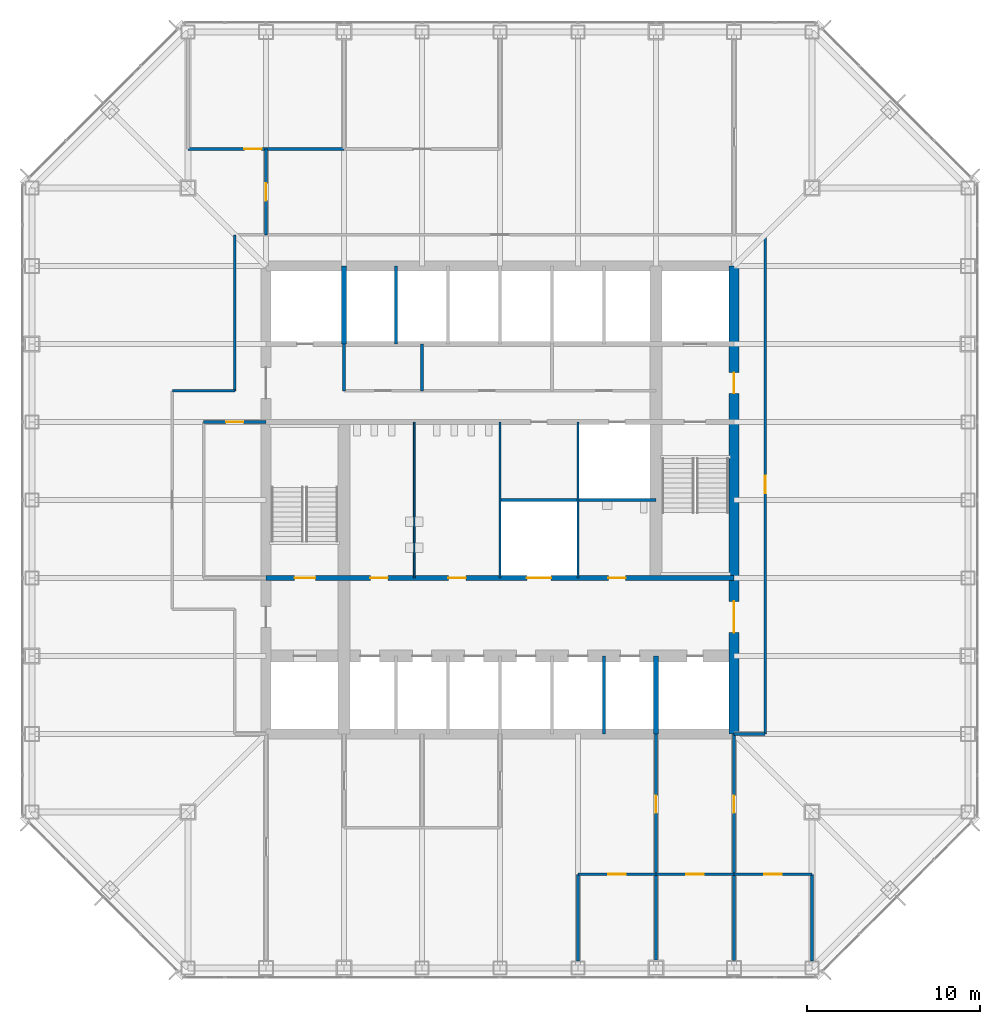
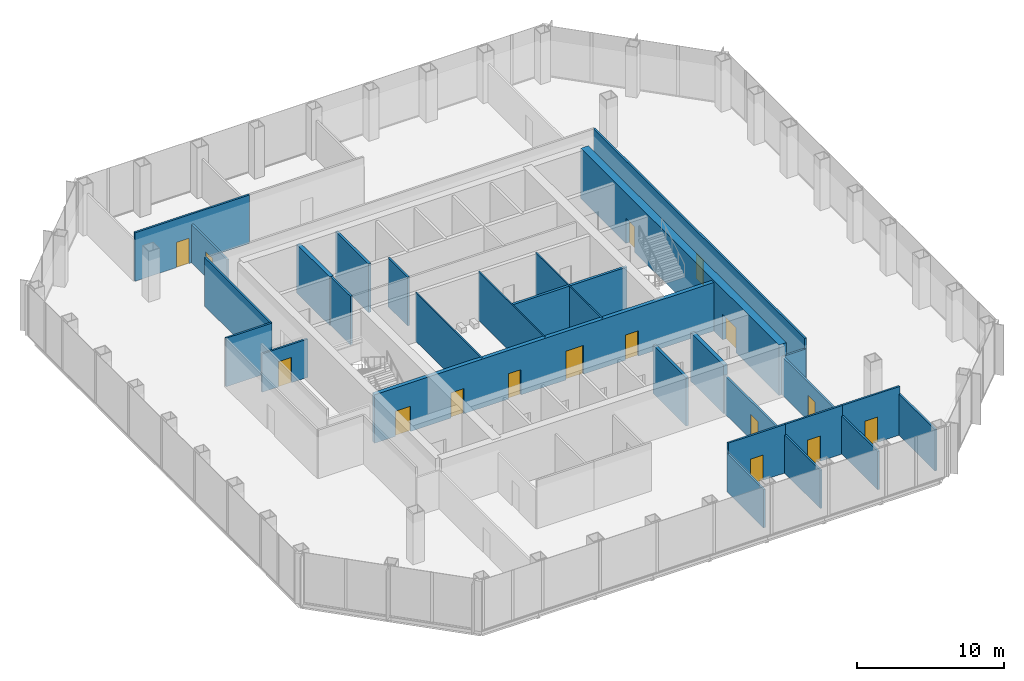
# One storey, part 9 of 12: 28 walls, 16 doors, 16 openings.
"""IFC4 building model written with IfcOpenShell, lengths in metres."""

from ifc_helpers import new_model, si_unit, direction, frame, frame_2d, origin, place, context, subcontext, project, spatial, rectangle, extrude, material, layer, layer_set, type_object, element, fill, save


model = new_model("IFC4")

# Units and contexts
model_context = context("Model", 3, precision=1e-05, world=origin(), true_north=direction((0.0, 1.0)))
body_context = subcontext(model_context, "Body", "Model", "MODEL_VIEW")
ifc_project = project(units=[si_unit("LENGTHUNIT", "METRE"), si_unit("AREAUNIT", "SQUARE_METRE"), si_unit("VOLUMEUNIT", "CUBIC_METRE"), si_unit("PLANEANGLEUNIT", "RADIAN"), si_unit("MASSUNIT", "GRAM", prefix="KILO")], contexts=[model_context])

# Site, building, storey
site_placement = place(None, origin())
site = spatial("IfcSite", under=ifc_project, at=site_placement, CompositionType="ELEMENT")
building_placement = place(site_placement, origin())
building = spatial("IfcBuilding", under=site, at=building_placement, Name="Corais Broadcast Tower", CompositionType="ELEMENT")
storey_placement = place(building_placement, frame((0.0, 0.0, 45.800048828125)))
storey = spatial("IfcBuildingStorey", under=building, at=storey_placement, Name="L09", CompositionType="ELEMENT", Elevation=45.800048828125)

# Walls
ifc_material_1 = material(Name="Concrete blockwork class A, grouted, two-hour", Category="masonry")
ifc_layer_1 = layer(ifc_material_1, 0.300048828125)
ifc_layer_set_1 = layer_set([ifc_layer_1], Name="Concrete blockwork class A, grouted, two-hour")
wall_type_1 = type_object("IfcWallType", Name="Core lobby wall 300", PredefinedType="SOLIDWALL", material=ifc_layer_set_1)
for number, where, z_axis, x_axis, name in (
    (1, (18.0, 36.0, 0.0), (0.0, 0.0, 1.0), (0.0, 1.0, 0.0), "CL1 core shaft wall X18B L09"),
    (2, (36.0, 13.5, 0.0), (0.0, 0.0, 1.0), (0.0, 1.0, 0.0), "CL1 core shaft wall X36A L09"),
):
    element("IfcWall", number, at=place(storey_placement, frame(where, z_axis=z_axis, x_axis=x_axis)), inside=storey, type_object=wall_type_1, Name=name, PredefinedType="SOLIDWALL", context=body_context, shape_type="SweptSolid", body=[
        extrude(rectangle(XDim=4.5, YDim=0.300048828125, at=frame_2d((2.25, 0.0))), origin(), (0.0, 0.0, 1.0), 4.0400390625),
    ])

# Wall, openings, doors
wall_1_placement = place(storey_placement, frame((13.5, 22.5, 0.0), z_axis=(0.0, 0.0, 1.0), x_axis=(1.0, 0.0, 0.0)))
wall_1 = element("IfcWall", 3, at=wall_1_placement, inside=storey, type_object=wall_type_1, Name="CL1 core lobby wall Y225 L09", PredefinedType="SOLIDWALL", context=body_context, shape_type="SweptSolid", body=[
    extrude(rectangle(XDim=27.0, YDim=0.300048828125, at=frame_2d((13.5, 0.0))), origin(), (0.0, 0.0, 1.0), 4.0400390625),
])
opening_1_placement = place(wall_1_placement, frame((1.64990234375, 0.0, 0.0)))
opening_1 = element("IfcOpeningElement", 4, at=opening_1_placement, cuts=wall_1, Name="Opening FD1", PredefinedType="OPENING", context=body_context, shape_type="SweptSolid", body=[
    extrude(rectangle(XDim=1.199951171875, YDim=2.10009765625, at=frame_2d((0.60009765625, 1.050048828125))), frame((0.0, 0.159912109375, 0.0), z_axis=(0.0, -1.0, 0.0), x_axis=(1.0, 0.0, 0.0)), (0.0, 0.0, 1.0), 0.320068359375),
])
opening_2_placement = place(wall_1_placement, frame((6.02490234375, 0.0, 0.0)))
opening_2 = element("IfcOpeningElement", 5, at=opening_2_placement, cuts=wall_1, Name="Opening WD1", PredefinedType="OPENING", context=body_context, shape_type="SweptSolid", body=[
    extrude(rectangle(XDim=1.0, YDim=2.10009765625, at=frame_2d((0.5, 1.050048828125))), frame((0.0, 0.159912109375, 0.0), z_axis=(0.0, -1.0, 0.0), x_axis=(1.0, 0.0, 0.0)), (0.0, 0.0, 1.0), 0.320068359375),
])
opening_3_placement = place(wall_1_placement, frame((10.52490234375, 0.0, 0.0)))
opening_3 = element("IfcOpeningElement", 6, at=opening_3_placement, cuts=wall_1, Name="Opening WD1", PredefinedType="OPENING", context=body_context, shape_type="SweptSolid", body=[
    extrude(rectangle(XDim=1.0, YDim=2.10009765625, at=frame_2d((0.5, 1.050048828125))), frame((0.0, 0.159912109375, 0.0), z_axis=(0.0, -1.0, 0.0), x_axis=(1.0, 0.0, 0.0)), (0.0, 0.0, 1.0), 0.320068359375),
])
opening_4_placement = place(wall_1_placement, frame((19.75, 0.0, 0.0)))
opening_4 = element("IfcOpeningElement", 7, at=opening_4_placement, cuts=wall_1, Name="Opening WD1", PredefinedType="OPENING", context=body_context, shape_type="SweptSolid", body=[
    extrude(rectangle(XDim=1.0, YDim=2.10009765625, at=frame_2d((0.5, 1.050048828125))), frame((0.0, 0.159912109375, 0.0), z_axis=(0.0, -1.0, 0.0), x_axis=(1.0, 0.0, 0.0)), (0.0, 0.0, 1.0), 0.320068359375),
])
opening_5_placement = place(wall_1_placement, frame((15.050048828125, 0.0, 0.0)))
opening_5 = element("IfcOpeningElement", 8, at=opening_5_placement, cuts=wall_1, Name="Opening LD3", PredefinedType="OPENING", context=body_context, shape_type="SweptSolid", body=[
    extrude(rectangle(XDim=1.39990234375, YDim=2.39990234375, at=frame_2d((0.699951171875, 1.199951171875))), frame((0.0, 0.159912109375, 0.0), z_axis=(0.0, -1.0, 0.0), x_axis=(1.0, 0.0, 0.0)), (0.0, 0.0, 1.0), 0.320068359375),
])
ifc_material_2 = material(Name="Steel fire door", Category="steel")
door_type_1 = type_object("IfcDoorType", Name="Fire door 1200x2100", OperationType="SINGLE_SWING_LEFT", PredefinedType="DOOR", material=ifc_material_2)
door_1_placement = place(opening_1_placement, origin())
door_1 = element("IfcDoor", 9, at=door_1_placement, inside=storey, type_object=door_type_1, Name="FD1 stair A door L09", OperationType="SINGLE_SWING_LEFT", OverallHeight=2.10009765625, OverallWidth=1.199951171875, PredefinedType="DOOR", context=body_context, shape_type="SweptSolid", body=[
    extrude(rectangle(XDim=1.199951171875, YDim=2.10009765625, at=frame_2d((0.60009765625, 1.050048828125))), frame((0.0, 0.02490234375, 0.0), z_axis=(0.0, -1.0, 0.0), x_axis=(1.0, 0.0, 0.0)), (0.0, 0.0, 1.0), 0.050048828125),
])
fill(opening_1, door_1)
ifc_material_3 = material(Name="Stainless steel lift door", Category="steel")
door_type_2 = type_object("IfcDoorType", Name="Service lift landing door 1400x2400", OperationType="SLIDING_TO_LEFT", PredefinedType="DOOR", material=ifc_material_3)
door_2_placement = place(opening_5_placement, origin())
door_2 = element("IfcDoor", 10, at=door_2_placement, inside=storey, type_object=door_type_2, Name="LD3 SL1 landing door L09", OperationType="SLIDING_TO_LEFT", OverallHeight=2.39990234375, OverallWidth=1.39990234375, PredefinedType="DOOR", context=body_context, shape_type="SweptSolid", body=[
    extrude(rectangle(XDim=1.39990234375, YDim=2.39990234375, at=frame_2d((0.699951171875, 1.199951171875))), frame((0.0, 0.02490234375, 0.0), z_axis=(0.0, -1.0, 0.0), x_axis=(1.0, 0.0, 0.0)), (0.0, 0.0, 1.0), 0.050048828125),
])
fill(opening_5, door_2)
ifc_material_4 = material(Name="Timber door", Category="wood")
door_type_3 = type_object("IfcDoorType", Name="Toilet door 1000x2100", OperationType="SINGLE_SWING_LEFT", PredefinedType="DOOR", material=ifc_material_4)
door_3_placement = place(opening_2_placement, origin())
door_3 = element("IfcDoor", 11, at=door_3_placement, inside=storey, type_object=door_type_3, Name="WD1 WC male door L09", OperationType="SINGLE_SWING_LEFT", OverallHeight=2.10009765625, OverallWidth=1.0, PredefinedType="DOOR", context=body_context, shape_type="SweptSolid", body=[
    extrude(rectangle(XDim=1.0, YDim=2.10009765625, at=frame_2d((0.5, 1.050048828125))), frame((0.0, 0.02490234375, 0.0), z_axis=(0.0, -1.0, 0.0), x_axis=(1.0, 0.0, 0.0)), (0.0, 0.0, 1.0), 0.050048828125),
])
fill(opening_2, door_3)
door_4_placement = place(opening_3_placement, origin())
door_4 = element("IfcDoor", 12, at=door_4_placement, inside=storey, type_object=door_type_3, Name="WD1 WC female door L09", OperationType="SINGLE_SWING_LEFT", OverallHeight=2.10009765625, OverallWidth=1.0, PredefinedType="DOOR", context=body_context, shape_type="SweptSolid", body=[
    extrude(rectangle(XDim=1.0, YDim=2.10009765625, at=frame_2d((0.5, 1.050048828125))), frame((0.0, 0.02490234375, 0.0), z_axis=(0.0, -1.0, 0.0), x_axis=(1.0, 0.0, 0.0)), (0.0, 0.0, 1.0), 0.050048828125),
])
fill(opening_3, door_4)
door_5_placement = place(opening_4_placement, origin())
door_5 = element("IfcDoor", 13, at=door_5_placement, inside=storey, type_object=door_type_3, Name="WD1 accessible WC door L09", OperationType="SINGLE_SWING_RIGHT", OverallHeight=2.10009765625, OverallWidth=1.0, PredefinedType="DOOR", context=body_context, shape_type="SweptSolid", body=[
    extrude(rectangle(XDim=1.0, YDim=2.10009765625, at=frame_2d((0.5, 1.050048828125))), frame((0.0, 0.02490234375, 0.0), z_axis=(0.0, -1.0, 0.0), x_axis=(1.0, 0.0, 0.0)), (0.0, 0.0, 1.0), 0.050048828125),
])
fill(opening_4, door_5)

ifc_material_5 = material(Name="Concrete C50/60", Category="concrete")
ifc_layer_2 = layer(ifc_material_5, 0.60009765625)
ifc_layer_set_2 = layer_set([ifc_layer_2], Name="Concrete C50/60")
wall_type_2 = type_object("IfcWallType", Name="Core wall 600", PredefinedType="SHEAR", material=ifc_layer_set_2)
wall_2_placement = place(storey_placement, frame((40.5, 13.5, 0.0), z_axis=(0.0, 0.0, 1.0), x_axis=(0.0, 1.0, 0.0)))
wall_2 = element("IfcWall", 14, at=wall_2_placement, inside=storey, type_object=wall_type_2, Name="CR600 core wall E L09", PredefinedType="SHEAR", context=body_context, shape_type="SweptSolid", body=[
    extrude(rectangle(XDim=27.0, YDim=0.60009765625, at=frame_2d((13.5, 0.0))), origin(), (0.0, 0.0, 1.0), 4.199951171875),
])
opening_6_placement = place(wall_2_placement, frame((5.85009765625, 0.0, 0.0)))
opening_6 = element("IfcOpeningElement", 15, at=opening_6_placement, cuts=wall_2, Name="Opening FD2", PredefinedType="OPENING", context=body_context, shape_type="SweptSolid", body=[
    extrude(rectangle(XDim=1.800048828125, YDim=2.10009765625, at=frame_2d((0.89990234375, 1.050048828125))), frame((0.0, 0.31005859375, 0.0), z_axis=(0.0, -1.0, 0.0), x_axis=(1.0, 0.0, 0.0)), (0.0, 0.0, 1.0), 0.6201171875),
])
opening_7_placement = place(wall_2_placement, frame((19.64990234375, 0.0, 0.0)))
opening_7 = element("IfcOpeningElement", 16, at=opening_7_placement, cuts=wall_2, Name="Opening FD1", PredefinedType="OPENING", context=body_context, shape_type="SweptSolid", body=[
    extrude(rectangle(XDim=1.199951171875, YDim=2.10009765625, at=frame_2d((0.60009765625, 1.050048828125))), frame((0.0, 0.31005859375, 0.0), z_axis=(0.0, -1.0, 0.0), x_axis=(1.0, 0.0, 0.0)), (0.0, 0.0, 1.0), 0.6201171875),
])
door_6_placement = place(opening_7_placement, origin())
door_6 = element("IfcDoor", 17, at=door_6_placement, inside=storey, type_object=door_type_1, Name="FD1 fire lobby B door L09", OperationType="SINGLE_SWING_RIGHT", OverallHeight=2.10009765625, OverallWidth=1.199951171875, PredefinedType="DOOR", context=body_context, shape_type="SweptSolid", body=[
    extrude(rectangle(XDim=1.199951171875, YDim=2.10009765625, at=frame_2d((0.60009765625, 1.050048828125))), frame((0.0, 0.02490234375, 0.0), z_axis=(0.0, -1.0, 0.0), x_axis=(1.0, 0.0, 0.0)), (0.0, 0.0, 1.0), 0.050048828125),
])
fill(opening_7, door_6)
ifc_material_6 = material(Name="Steel fire door", Category="steel")
door_type_4 = type_object("IfcDoorType", Name="Fire door pair 1800x2100", OperationType="DOUBLE_DOOR_SINGLE_SWING", PredefinedType="DOOR", material=ifc_material_6)
door_7_placement = place(opening_6_placement, origin())
door_7 = element("IfcDoor", 18, at=door_7_placement, inside=storey, type_object=door_type_4, Name="FD2 lift lobby door L09", OperationType="SINGLE_SWING_LEFT", OverallHeight=2.10009765625, OverallWidth=1.800048828125, PredefinedType="DOOR", context=body_context, shape_type="SweptSolid", body=[
    extrude(rectangle(XDim=1.800048828125, YDim=2.10009765625, at=frame_2d((0.89990234375, 1.050048828125))), frame((0.0, 0.02490234375, 0.0), z_axis=(0.0, -1.0, 0.0), x_axis=(1.0, 0.0, 0.0)), (0.0, 0.0, 1.0), 0.050048828125),
])
fill(opening_6, door_7)

# Walls
ifc_material_7 = material(Name="Two layers of fire-rated gypsum board each side on steel studs", Category="steel")
ifc_layer_3 = layer(ifc_material_7, 0.14990234375)
ifc_layer_set_3 = layer_set([ifc_layer_3], Name="Two layers of fire-rated gypsum board each side on steel studs")
wall_type_3 = type_object("IfcWallType", Name="Fire-rated partition 150 EI 60", PredefinedType="PARTITIONING", material=ifc_layer_set_3)
for number, where, z_axis, x_axis, name in (
    (19, (18.0, 33.300048828125, 0.0), (0.0, 0.0, 1.0), (0.0, 1.0, 0.0), "IW7 partition L09"),
    (20, (22.5, 33.300048828125, 0.0), (0.0, 0.0, 1.0), (0.0, 1.0, 0.0), "IW7 partition L09"),
):
    element("IfcWall", number, at=place(storey_placement, frame(where, z_axis=z_axis, x_axis=x_axis)), inside=storey, type_object=wall_type_3, Name=name, PredefinedType="PARTITIONING", context=body_context, shape_type="SweptSolid", body=[
        extrude(rectangle(XDim=2.699951171875, YDim=0.14990234375, at=frame_2d((1.35009765625, 0.0))), origin(), (0.0, 0.0, 1.0), 4.0400390625),
    ])

# Wall, opening, door
ifc_material_8 = material(Name="Gypsum board on steel studs", Category="steel")
ifc_layer_4 = layer(ifc_material_8, 0.14990234375)
ifc_layer_set_4 = layer_set([ifc_layer_4], Name="Gypsum board on steel studs")
wall_type_4 = type_object("IfcWallType", Name="Partition 150", PredefinedType="PARTITIONING", material=ifc_layer_set_4)
wall_3_placement = place(storey_placement, frame((42.300048828125, 13.5, 0.0), z_axis=(0.0, 0.0, 1.0), x_axis=(0.0, 1.0, 0.0)))
wall_3 = element("IfcWall", 21, at=wall_3_placement, inside=storey, type_object=wall_type_4, Name="IW3 corridor wall L09", PredefinedType="PARTITIONING", context=body_context, shape_type="SweptSolid", body=[
    extrude(rectangle(XDim=28.800048828125, YDim=0.14990234375, at=frame_2d((14.39990234375, 0.0))), origin(), (0.0, 0.0, 1.0), 4.0400390625),
])
opening_8_placement = place(wall_3_placement, frame((13.89990234375, 0.0, 0.0)))
opening_8 = element("IfcOpeningElement", 22, at=opening_8_placement, cuts=wall_3, Name="Opening D1", PredefinedType="OPENING", context=body_context, shape_type="SweptSolid", body=[
    extrude(rectangle(XDim=1.0, YDim=2.10009765625, at=frame_2d((0.5, 1.050048828125))), frame((0.0, 0.0849609375, 0.0), z_axis=(0.0, -1.0, 0.0), x_axis=(1.0, 0.0, 0.0)), (0.0, 0.0, 1.0), 0.169921875),
])
ifc_material_9 = material(Name="Timber door", Category="wood")
door_type_5 = type_object("IfcDoorType", Name="Single door 1000x2100", OperationType="SINGLE_SWING_LEFT", PredefinedType="DOOR", material=ifc_material_9)
door_8_placement = place(opening_8_placement, origin())
door_8 = element("IfcDoor", 23, at=door_8_placement, inside=storey, type_object=door_type_5, Name="D1 workplace door L09", OperationType="SINGLE_SWING_LEFT", OverallHeight=2.10009765625, OverallWidth=1.0, PredefinedType="DOOR", context=body_context, shape_type="SweptSolid", body=[
    extrude(rectangle(XDim=1.0, YDim=2.10009765625, at=frame_2d((0.5, 1.050048828125))), frame((0.0, 0.02490234375, 0.0), z_axis=(0.0, -1.0, 0.0), x_axis=(1.0, 0.0, 0.0)), (0.0, 0.0, 1.0), 0.050048828125),
])
fill(opening_8, door_8)

# Walls
wall_4_placement = place(storey_placement, frame((11.699951171875, 42.300048828125, 0.0), z_axis=(0.0, 0.0, 1.0), x_axis=(0.0, -1.0, 0.0)))
element("IfcWall", 24, at=wall_4_placement, inside=storey, type_object=wall_type_4, Name="IW3 corridor wall L09", PredefinedType="PARTITIONING", context=body_context, shape_type="SweptSolid", body=[
    extrude(rectangle(XDim=9.0, YDim=0.14990234375, at=frame_2d((4.5, 0.0))), origin(), (0.0, 0.0, 1.0), 4.0400390625),
])
wall_5_placement = place(storey_placement, frame((11.699951171875, 33.300048828125, 0.0), z_axis=(0.0, 0.0, 1.0), x_axis=(-1.0, 0.0, 0.0)))
element("IfcWall", 25, at=wall_5_placement, inside=storey, type_object=wall_type_4, Name="IW3 corridor wall L09", PredefinedType="PARTITIONING", context=body_context, shape_type="SweptSolid", body=[
    extrude(rectangle(XDim=3.599853515625, YDim=0.14990234375, at=frame_2d((1.7998046875, 0.0))), origin(), (0.0, 0.0, 1.0), 4.0400390625),
])
wall_6_placement = place(storey_placement, frame((40.489990234375, 13.5, 0.0), z_axis=(0.0, 0.0, 1.0), x_axis=(1.0, 0.0, 0.0)))
element("IfcWall", 26, at=wall_6_placement, inside=storey, type_object=wall_type_4, Name="IW3 corridor wall L09", PredefinedType="PARTITIONING", context=body_context, shape_type="SweptSolid", body=[
    extrude(rectangle(XDim=1.81005859375, YDim=0.14990234375, at=frame_2d((0.905029296875, 0.0))), origin(), (0.0, 0.0, 1.0), 3.18896484375),
])

# Wall, opening, door
wall_7_placement = place(storey_placement, frame((9.0, 47.25, 0.0), z_axis=(0.0, 0.0, 1.0), x_axis=(1.0, 0.0, 0.0)))
wall_7 = element("IfcWall", 27, at=wall_7_placement, inside=storey, type_object=wall_type_4, Name="IW3 partition L09", PredefinedType="PARTITIONING", context=body_context, shape_type="SweptSolid", body=[
    extrude(rectangle(XDim=9.0, YDim=0.14990234375, at=frame_2d((4.5, 0.0))), origin(), (0.0, 0.0, 1.0), 4.0400390625),
])
opening_9_placement = place(wall_7_placement, frame((3.25, 0.0, 0.0)))
opening_9 = element("IfcOpeningElement", 28, at=opening_9_placement, cuts=wall_7, Name="Opening D1", PredefinedType="OPENING", context=body_context, shape_type="SweptSolid", body=[
    extrude(rectangle(XDim=1.0, YDim=2.10009765625, at=frame_2d((0.5, 1.050048828125))), frame((0.0, 0.0849609375, 0.0), z_axis=(0.0, -1.0, 0.0), x_axis=(1.0, 0.0, 0.0)), (0.0, 0.0, 1.0), 0.169921875),
])
door_9_placement = place(opening_9_placement, origin())
door_9 = element("IfcDoor", 29, at=door_9_placement, inside=storey, type_object=door_type_5, Name="D1 Graphics room door", OperationType="SINGLE_SWING_LEFT", OverallHeight=2.10009765625, OverallWidth=1.0, PredefinedType="DOOR", context=body_context, shape_type="SweptSolid", body=[
    extrude(rectangle(XDim=1.0, YDim=2.10009765625, at=frame_2d((0.5, 1.050048828125))), frame((0.0, 0.02490234375, 0.0), z_axis=(0.0, -1.0, 0.0), x_axis=(1.0, 0.0, 0.0)), (0.0, 0.0, 1.0), 0.050048828125),
])
fill(opening_9, door_9)

wall_8_placement = place(storey_placement, frame((13.5, 31.5, 0.0), z_axis=(0.0, 0.0, 1.0), x_axis=(-1.0, 0.0, 0.0)))
wall_8 = element("IfcWall", 30, at=wall_8_placement, inside=storey, type_object=wall_type_4, Name="IW3 partition L09", PredefinedType="PARTITIONING", context=body_context, shape_type="SweptSolid", body=[
    extrude(rectangle(XDim=3.60009765625, YDim=0.14990234375, at=frame_2d((1.800048828125, 0.0))), origin(), (0.0, 0.0, 1.0), 3.18896484375),
])
opening_10_placement = place(wall_8_placement, frame((1.300048828125, 0.0, 0.0)))
opening_10 = element("IfcOpeningElement", 31, at=opening_10_placement, cuts=wall_8, Name="Opening D1", PredefinedType="OPENING", context=body_context, shape_type="SweptSolid", body=[
    extrude(rectangle(XDim=1.0, YDim=2.10009765625, at=frame_2d((0.5, 1.050048828125))), frame((0.0, 0.0849609375, 0.0), z_axis=(0.0, -1.0, 0.0), x_axis=(1.0, 0.0, 0.0)), (0.0, 0.0, 1.0), 0.169921875),
])
door_10_placement = place(opening_10_placement, origin())
door_10 = element("IfcDoor", 32, at=door_10_placement, inside=storey, type_object=door_type_5, Name="D1 Pantry door", OperationType="SINGLE_SWING_LEFT", OverallHeight=2.10009765625, OverallWidth=1.0, PredefinedType="DOOR", context=body_context, shape_type="SweptSolid", body=[
    extrude(rectangle(XDim=1.0, YDim=2.10009765625, at=frame_2d((0.5, 1.050048828125))), frame((0.0, 0.02490234375, 0.0), z_axis=(0.0, -1.0, 0.0), x_axis=(1.0, 0.0, 0.0)), (0.0, 0.0, 1.0), 0.050048828125),
])
fill(opening_10, door_10)

# Wall
wall_9_placement = place(storey_placement, frame((36.0, 0.4599609375, 0.0), z_axis=(0.0, 0.0, 1.0), x_axis=(0.0, 1.0, 0.0)))
element("IfcWall", 33, at=wall_9_placement, inside=storey, type_object=wall_type_4, Name="IW3 partition L09", PredefinedType="PARTITIONING", context=body_context, shape_type="SweptSolid", body=[
    extrude(rectangle(XDim=4.93994140625, YDim=0.14990234375, at=frame_2d((2.469970703125, 0.0))), origin(), (0.0, 0.0, 1.0), 3.18896484375),
])

# Wall, opening, door
wall_10_placement = place(storey_placement, frame((36.0, 5.39990234375, 0.0), z_axis=(0.0, 0.0, 1.0), x_axis=(-1.0, 0.0, 0.0)))
wall_10 = element("IfcWall", 34, at=wall_10_placement, inside=storey, type_object=wall_type_4, Name="IW3 partition L09", PredefinedType="PARTITIONING", context=body_context, shape_type="SweptSolid", body=[
    extrude(rectangle(XDim=4.5, YDim=0.14990234375, at=frame_2d((2.25, 0.0))), origin(), (0.0, 0.0, 1.0), 4.0400390625),
])
opening_11_placement = place(wall_10_placement, frame((1.75, 0.0, 0.0)))
opening_11 = element("IfcOpeningElement", 35, at=opening_11_placement, cuts=wall_10, Name="Opening D1", PredefinedType="OPENING", context=body_context, shape_type="SweptSolid", body=[
    extrude(rectangle(XDim=1.0, YDim=2.10009765625, at=frame_2d((0.5, 1.050048828125))), frame((0.0, 0.0849609375, 0.0), z_axis=(0.0, -1.0, 0.0), x_axis=(1.0, 0.0, 0.0)), (0.0, 0.0, 1.0), 0.169921875),
])
door_11_placement = place(opening_11_placement, origin())
door_11 = element("IfcDoor", 36, at=door_11_placement, inside=storey, type_object=door_type_5, Name="D1 Editor office door", OperationType="SINGLE_SWING_LEFT", OverallHeight=2.10009765625, OverallWidth=1.0, PredefinedType="DOOR", context=body_context, shape_type="SweptSolid", body=[
    extrude(rectangle(XDim=1.0, YDim=2.10009765625, at=frame_2d((0.5, 1.050048828125))), frame((0.0, 0.02490234375, 0.0), z_axis=(0.0, -1.0, 0.0), x_axis=(1.0, 0.0, 0.0)), (0.0, 0.0, 1.0), 0.050048828125),
])
fill(opening_11, door_11)

# Walls
wall_11_placement = place(storey_placement, frame((31.5, 5.39990234375, 0.0), z_axis=(0.0, 0.0, 1.0), x_axis=(0.0, -1.0, 0.0)))
element("IfcWall", 37, at=wall_11_placement, inside=storey, type_object=wall_type_4, Name="IW3 partition L09", PredefinedType="PARTITIONING", context=body_context, shape_type="SweptSolid", body=[
    extrude(rectangle(XDim=4.989990234375, YDim=0.14990234375, at=frame_2d((2.4951171875, 0.0))), origin(), (0.0, 0.0, 1.0), 3.18896484375),
])
wall_12_placement = place(storey_placement, frame((40.5, 0.43505859375, 0.0), z_axis=(0.0, 0.0, 1.0), x_axis=(0.0, 1.0, 0.0)))
element("IfcWall", 38, at=wall_12_placement, inside=storey, type_object=wall_type_4, Name="IW3 partition L09", PredefinedType="PARTITIONING", context=body_context, shape_type="SweptSolid", body=[
    extrude(rectangle(XDim=4.96484375, YDim=0.14990234375, at=frame_2d((2.482421875, 0.0))), origin(), (0.0, 0.0, 1.0), 3.18896484375),
])

# Wall, opening, door
wall_13_placement = place(storey_placement, frame((40.5, 5.39990234375, 0.0), z_axis=(0.0, 0.0, 1.0), x_axis=(-1.0, 0.0, 0.0)))
wall_13 = element("IfcWall", 39, at=wall_13_placement, inside=storey, type_object=wall_type_4, Name="IW3 partition L09", PredefinedType="PARTITIONING", context=body_context, shape_type="SweptSolid", body=[
    extrude(rectangle(XDim=4.5, YDim=0.14990234375, at=frame_2d((2.25, 0.0))), origin(), (0.0, 0.0, 1.0), 4.0400390625),
])
opening_12_placement = place(wall_13_placement, frame((1.75, 0.0, 0.0)))
opening_12 = element("IfcOpeningElement", 40, at=opening_12_placement, cuts=wall_13, Name="Opening D1", PredefinedType="OPENING", context=body_context, shape_type="SweptSolid", body=[
    extrude(rectangle(XDim=1.0, YDim=2.10009765625, at=frame_2d((0.5, 1.050048828125))), frame((0.0, 0.0849609375, 0.0), z_axis=(0.0, -1.0, 0.0), x_axis=(1.0, 0.0, 0.0)), (0.0, 0.0, 1.0), 0.169921875),
])
door_12_placement = place(opening_12_placement, origin())
door_12 = element("IfcDoor", 41, at=door_12_placement, inside=storey, type_object=door_type_5, Name="D1 Editor office door", OperationType="SINGLE_SWING_LEFT", OverallHeight=2.10009765625, OverallWidth=1.0, PredefinedType="DOOR", context=body_context, shape_type="SweptSolid", body=[
    extrude(rectangle(XDim=1.0, YDim=2.10009765625, at=frame_2d((0.5, 1.050048828125))), frame((0.0, 0.02490234375, 0.0), z_axis=(0.0, -1.0, 0.0), x_axis=(1.0, 0.0, 0.0)), (0.0, 0.0, 1.0), 0.050048828125),
])
fill(opening_12, door_12)

# Wall
wall_14_placement = place(storey_placement, frame((45.0, 0.409912109375, 0.0), z_axis=(0.0, 0.0, 1.0), x_axis=(0.0, 1.0, 0.0)))
element("IfcWall", 42, at=wall_14_placement, inside=storey, type_object=wall_type_4, Name="IW3 partition L09", PredefinedType="PARTITIONING", context=body_context, shape_type="SweptSolid", body=[
    extrude(rectangle(XDim=4.989990234375, YDim=0.14990234375, at=frame_2d((2.4951171875, 0.0))), origin(), (0.0, 0.0, 1.0), 3.428955078125),
])

# Wall, opening, door
wall_15_placement = place(storey_placement, frame((45.0, 5.39990234375, 0.0), z_axis=(0.0, 0.0, 1.0), x_axis=(-1.0, 0.0, 0.0)))
wall_15 = element("IfcWall", 43, at=wall_15_placement, inside=storey, type_object=wall_type_4, Name="IW3 partition L09", PredefinedType="PARTITIONING", context=body_context, shape_type="SweptSolid", body=[
    extrude(rectangle(XDim=4.5, YDim=0.14990234375, at=frame_2d((2.25, 0.0))), origin(), (0.0, 0.0, 1.0), 4.0400390625),
])
opening_13_placement = place(wall_15_placement, frame((1.75, 0.0, 0.0)))
opening_13 = element("IfcOpeningElement", 44, at=opening_13_placement, cuts=wall_15, Name="Opening D1", PredefinedType="OPENING", context=body_context, shape_type="SweptSolid", body=[
    extrude(rectangle(XDim=1.0, YDim=2.10009765625, at=frame_2d((0.5, 1.050048828125))), frame((0.0, 0.0849609375, 0.0), z_axis=(0.0, -1.0, 0.0), x_axis=(1.0, 0.0, 0.0)), (0.0, 0.0, 1.0), 0.169921875),
])
door_13_placement = place(opening_13_placement, origin())
door_13 = element("IfcDoor", 45, at=door_13_placement, inside=storey, type_object=door_type_5, Name="D1 Editor office door", OperationType="SINGLE_SWING_LEFT", OverallHeight=2.10009765625, OverallWidth=1.0, PredefinedType="DOOR", context=body_context, shape_type="SweptSolid", body=[
    extrude(rectangle(XDim=1.0, YDim=2.10009765625, at=frame_2d((0.5, 1.050048828125))), frame((0.0, 0.02490234375, 0.0), z_axis=(0.0, -1.0, 0.0), x_axis=(1.0, 0.0, 0.0)), (0.0, 0.0, 1.0), 0.050048828125),
])
fill(opening_13, door_13)

wall_16_placement = place(storey_placement, frame((13.5, 42.300048828125, 0.0), z_axis=(0.0, 0.0, 1.0), x_axis=(0.0, 1.0, 0.0)))
wall_16 = element("IfcWall", 46, at=wall_16_placement, inside=storey, type_object=wall_type_4, Name="IW3 partition L09", PredefinedType="PARTITIONING", context=body_context, shape_type="SweptSolid", body=[
    extrude(rectangle(XDim=4.949951171875, YDim=0.14990234375, at=frame_2d((2.47509765625, 0.0))), origin(), (0.0, 0.0, 1.0), 3.18896484375),
])
opening_14_placement = place(wall_16_placement, frame((1.97509765625, 0.0, 0.0)))
opening_14 = element("IfcOpeningElement", 47, at=opening_14_placement, cuts=wall_16, Name="Opening D1", PredefinedType="OPENING", context=body_context, shape_type="SweptSolid", body=[
    extrude(rectangle(XDim=1.0, YDim=2.10009765625, at=frame_2d((0.5, 1.050048828125))), frame((0.0, 0.0849609375, 0.0), z_axis=(0.0, -1.0, 0.0), x_axis=(1.0, 0.0, 0.0)), (0.0, 0.0, 1.0), 0.169921875),
])
door_14_placement = place(opening_14_placement, origin())
door_14 = element("IfcDoor", 48, at=door_14_placement, inside=storey, type_object=door_type_5, Name="D1 team room door L09", OperationType="SINGLE_SWING_LEFT", OverallHeight=2.10009765625, OverallWidth=1.0, PredefinedType="DOOR", context=body_context, shape_type="SweptSolid", body=[
    extrude(rectangle(XDim=1.0, YDim=2.10009765625, at=frame_2d((0.5, 1.050048828125))), frame((0.0, 0.02490234375, 0.0), z_axis=(0.0, -1.0, 0.0), x_axis=(1.0, 0.0, 0.0)), (0.0, 0.0, 1.0), 0.050048828125),
])
fill(opening_14, door_14)

wall_17_placement = place(storey_placement, frame((40.5, 5.39990234375, 0.0), z_axis=(0.0, 0.0, 1.0), x_axis=(0.0, 1.0, 0.0)))
wall_17 = element("IfcWall", 49, at=wall_17_placement, inside=storey, type_object=wall_type_4, Name="IW3 partition L09", PredefinedType="PARTITIONING", context=body_context, shape_type="SweptSolid", body=[
    extrude(rectangle(XDim=8.10009765625, YDim=0.14990234375, at=frame_2d((4.050048828125, 0.0))), origin(), (0.0, 0.0, 1.0), 3.18896484375),
])
opening_15_placement = place(wall_17_placement, frame((3.550048828125, 0.0, 0.0)))
opening_15 = element("IfcOpeningElement", 50, at=opening_15_placement, cuts=wall_17, Name="Opening D1", PredefinedType="OPENING", context=body_context, shape_type="SweptSolid", body=[
    extrude(rectangle(XDim=1.0, YDim=2.10009765625, at=frame_2d((0.5, 1.050048828125))), frame((0.0, 0.0849609375, 0.0), z_axis=(0.0, -1.0, 0.0), x_axis=(1.0, 0.0, 0.0)), (0.0, 0.0, 1.0), 0.169921875),
])
door_15_placement = place(opening_15_placement, origin())
door_15 = element("IfcDoor", 51, at=door_15_placement, inside=storey, type_object=door_type_5, Name="D1 team room door L09", OperationType="SINGLE_SWING_LEFT", OverallHeight=2.10009765625, OverallWidth=1.0, PredefinedType="DOOR", context=body_context, shape_type="SweptSolid", body=[
    extrude(rectangle(XDim=1.0, YDim=2.10009765625, at=frame_2d((0.5, 1.050048828125))), frame((0.0, 0.02490234375, 0.0), z_axis=(0.0, -1.0, 0.0), x_axis=(1.0, 0.0, 0.0)), (0.0, 0.0, 1.0), 0.050048828125),
])
fill(opening_15, door_15)

wall_18_placement = place(storey_placement, frame((36.0, 13.5, 0.0), z_axis=(0.0, 0.0, 1.0), x_axis=(0.0, -1.0, 0.0)))
wall_18 = element("IfcWall", 52, at=wall_18_placement, inside=storey, type_object=wall_type_4, Name="IW3 partition L09", PredefinedType="PARTITIONING", context=body_context, shape_type="SweptSolid", body=[
    extrude(rectangle(XDim=8.10009765625, YDim=0.14990234375, at=frame_2d((4.050048828125, 0.0))), origin(), (0.0, 0.0, 1.0), 3.18896484375),
])
opening_16_placement = place(wall_18_placement, frame((3.550048828125, 0.0, 0.0)))
opening_16 = element("IfcOpeningElement", 53, at=opening_16_placement, cuts=wall_18, Name="Opening D1", PredefinedType="OPENING", context=body_context, shape_type="SweptSolid", body=[
    extrude(rectangle(XDim=1.0, YDim=2.10009765625, at=frame_2d((0.5, 1.050048828125))), frame((0.0, 0.0849609375, 0.0), z_axis=(0.0, -1.0, 0.0), x_axis=(1.0, 0.0, 0.0)), (0.0, 0.0, 1.0), 0.169921875),
])
door_16_placement = place(opening_16_placement, origin())
door_16 = element("IfcDoor", 54, at=door_16_placement, inside=storey, type_object=door_type_5, Name="D1 team room door L09", OperationType="SINGLE_SWING_LEFT", OverallHeight=2.10009765625, OverallWidth=1.0, PredefinedType="DOOR", context=body_context, shape_type="SweptSolid", body=[
    extrude(rectangle(XDim=1.0, YDim=2.10009765625, at=frame_2d((0.5, 1.050048828125))), frame((0.0, 0.02490234375, 0.0), z_axis=(0.0, -1.0, 0.0), x_axis=(1.0, 0.0, 0.0)), (0.0, 0.0, 1.0), 0.050048828125),
])
fill(opening_16, door_16)

# Walls
ifc_material_10 = material(Name="Concrete blockwork class A, grouted, two-hour", Category="masonry")
ifc_layer_5 = layer(ifc_material_10, 0.199951171875)
ifc_layer_set_5 = layer_set([ifc_layer_5], Name="Concrete blockwork class A, grouted, two-hour")
wall_type_5 = type_object("IfcWallType", Name="Shaft wall 200", PredefinedType="PARTITIONING", material=ifc_layer_set_5)
for number, where, z_axis, x_axis, name in (
    (55, (21.0, 36.0, 0.0), (0.0, 0.0, 1.0), (0.0, 1.0, 0.0), "IW1 shaft wall L09"),
    (56, (33.0, 13.5, 0.0), (0.0, 0.0, 1.0), (0.0, 1.0, 0.0), "IW1 shaft wall L09"),
):
    element("IfcWall", number, at=place(storey_placement, frame(where, z_axis=z_axis, x_axis=x_axis)), inside=storey, type_object=wall_type_5, Name=name, PredefinedType="PARTITIONING", context=body_context, shape_type="SweptSolid", body=[
        extrude(rectangle(XDim=4.5, YDim=0.199951171875, at=frame_2d((2.25, 0.0))), origin(), (0.0, 0.0, 1.0), 4.0400390625),
    ])
wall_19_placement = place(storey_placement, frame((27.0, 27.0, 0.0), z_axis=(0.0, 0.0, 1.0), x_axis=(1.0, 0.0, 0.0)))
element("IfcWall", 57, at=wall_19_placement, inside=storey, type_object=wall_type_5, Name="IW1 shaft wall L09", PredefinedType="PARTITIONING", context=body_context, shape_type="SweptSolid", body=[
    extrude(rectangle(XDim=9.0, YDim=0.199951171875, at=frame_2d((4.5, 0.0))), origin(), (0.0, 0.0, 1.0), 4.0400390625),
])
ifc_material_11 = material(Name="Dense concrete blockwork class A, tiled both faces", Category="masonry")
ifc_layer_6 = layer(ifc_material_11, 0.10009765625)
ifc_layer_set_6 = layer_set([ifc_layer_6], Name="Dense concrete blockwork class A, tiled both faces")
wall_type_6 = type_object("IfcWallType", Name="Toilet wall 100", PredefinedType="PLUMBINGWALL", material=ifc_layer_set_6)
for number, where, z_axis, x_axis, name in (
    (58, (22.050048828125, 22.5, 0.0), (0.0, 0.0, 1.0), (0.0, 1.0, 0.0), "IW2 toilet wall L09"),
    (59, (27.0, 22.5, 0.0), (0.0, 0.0, 1.0), (0.0, 1.0, 0.0), "IW2 toilet wall L09"),
    (60, (31.5, 22.5, 0.0), (0.0, 0.0, 1.0), (0.0, 1.0, 0.0), "IW2 toilet wall L09"),
):
    element("IfcWall", number, at=place(storey_placement, frame(where, z_axis=z_axis, x_axis=x_axis)), inside=storey, type_object=wall_type_6, Name=name, PredefinedType="PLUMBINGWALL", context=body_context, shape_type="SweptSolid", body=[
        extrude(rectangle(XDim=9.0, YDim=0.10009765625, at=frame_2d((4.5, 0.0))), origin(), (0.0, 0.0, 1.0), 4.0400390625),
    ])

save(model, "model.ifc")
